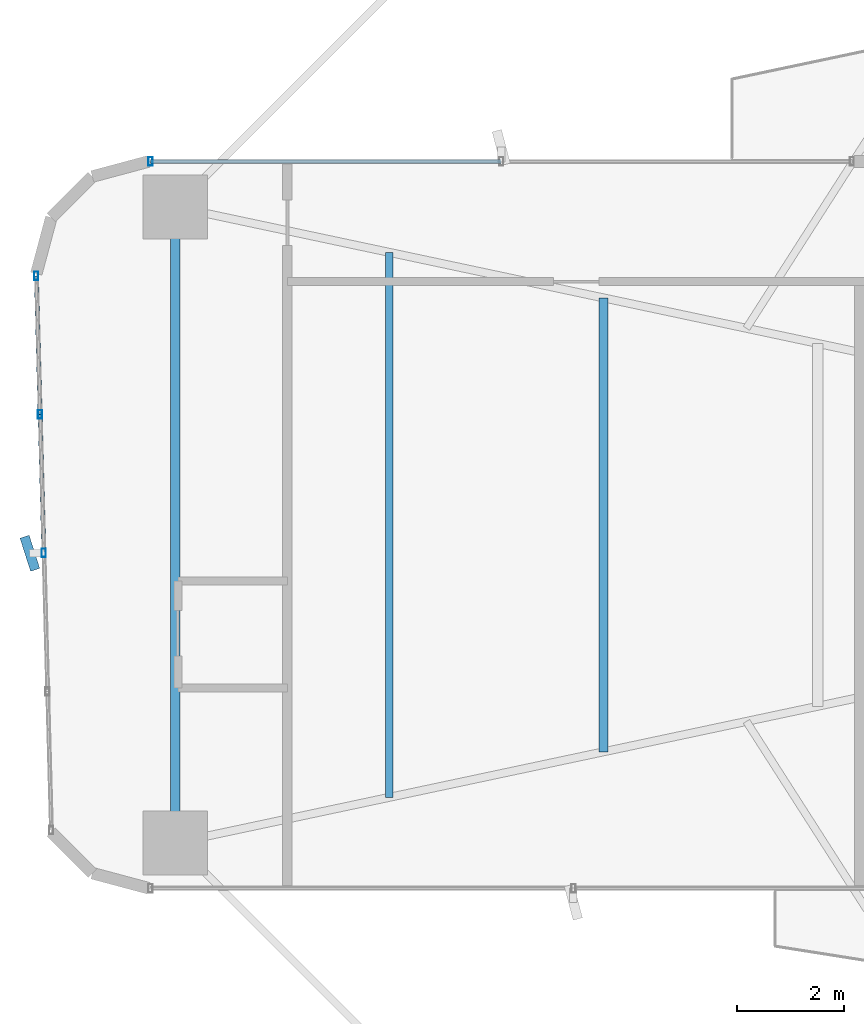
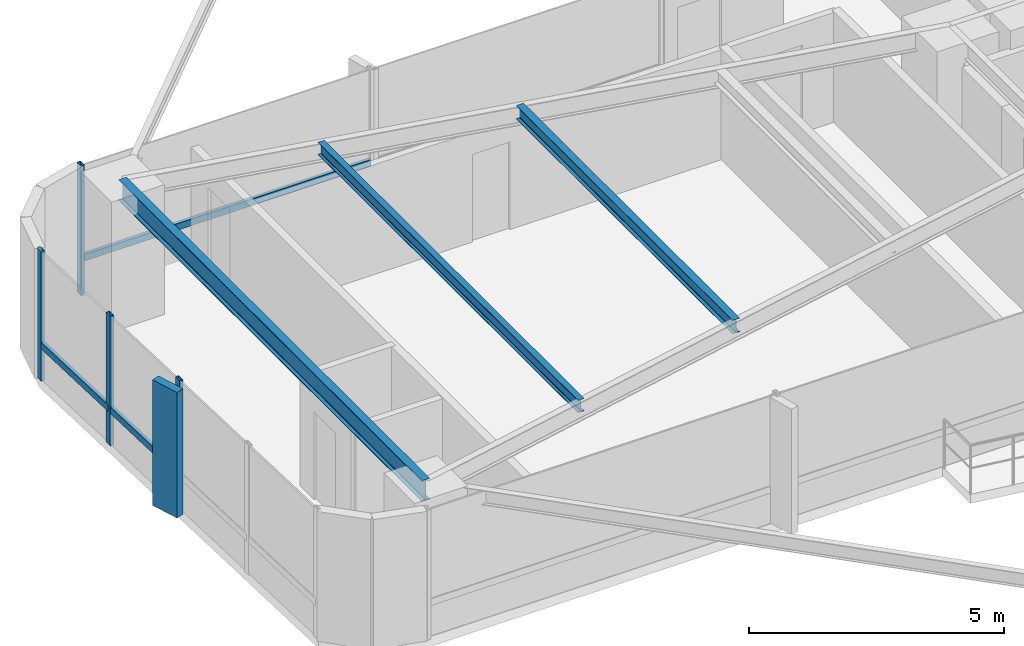
# One storey, part 8 of 26: 8 members, 3 beams, 2 elements without a shape of their own.
"""IFC4 building model written with IfcOpenShell, lengths in metres."""

from ifc_helpers import new_model, si_unit, direction, frame, origin, origin_2d, place, context, subcontext, project, spatial, rectangle, hollow_rectangle, i_section, extrude, source, transform, mapped, material, material_profile, profile_set, type_object, element, aggregate, save


model = new_model("IFC4")

# Units and contexts
model_context = context("Model", 3, precision=1e-05, world=origin(), true_north=direction((0.0, 1.0)))
body_context = subcontext(model_context, "Body", "Model", "MODEL_VIEW")
ifc_project = project(units=[si_unit("LENGTHUNIT", "METRE"), si_unit("AREAUNIT", "SQUARE_METRE"), si_unit("VOLUMEUNIT", "CUBIC_METRE"), si_unit("PLANEANGLEUNIT", "RADIAN"), si_unit("MASSUNIT", "GRAM", prefix="KILO")], contexts=[model_context])

# Site, building, storey
site_placement = place(None, origin())
site = spatial("IfcSite", under=ifc_project, at=site_placement, CompositionType="ELEMENT")
building_placement = place(site_placement, origin())
building = spatial("IfcBuilding", under=site, at=building_placement, Name="Sahyath Konkavel Grand Hotel", CompositionType="ELEMENT")
storey_placement = place(building_placement, frame((0.0, 0.0, 61.10009765625)))
storey = spatial("IfcBuildingStorey", under=building, at=storey_placement, Name="L16", CompositionType="ELEMENT", Elevation=61.10009765625)

# Beams
ifc_material_1 = material(Name="Steel E350", Category="steel")
ifc_material_profile_1 = material_profile(ifc_material_1, i_section(OverallWidth=0.179931640625, OverallDepth=0.5, WebThickness=0.01025390625, FlangeThickness=0.01708984375, FilletRadius=0.01708984375, at=origin_2d()), Name="ISMB 500")
ifc_profile_set_1 = profile_set([ifc_material_profile_1], Name="Steel E350")
beam_type_1 = type_object("IfcBeamType", Name="BM-ISMB500", PredefinedType="BEAM", material=ifc_profile_set_1)
shared_shape_1 = source(origin(), body_context, "Body", "SweptSolid", [
    extrude(i_section(OverallWidth=0.179931640625, OverallDepth=0.5, WebThickness=0.01025390625, FlangeThickness=0.01708984375, FilletRadius=0.01708984375, at=origin_2d()), origin(), (0.0, 0.0, 1.0), 11.89990234375),
])
beam_1_placement = place(storey_placement, frame((-22.199951171875, 5.949951171875, 2.85986328125), z_axis=(0.0, -1.0, 0.0), x_axis=(1.0, 0.0, 0.0)))
element("IfcBeam", 1, at=beam_1_placement, inside=storey, type_object=beam_type_1, Name="L16 Wing Tip Edge Beam W", PredefinedType="BEAM", context=body_context, shape_type="MappedRepresentation", body=[
    mapped(shared_shape_1, transform((0.0, 0.0, 0.0), scale=1.0)),
])
ifc_material_profile_2 = material_profile(ifc_material_1, i_section(OverallWidth=0.1650390625, OverallDepth=0.324951171875, WebThickness=0.007080078125, FlangeThickness=0.009765625, FilletRadius=0.014892578125, at=origin_2d()), Name="ISLB 325")
ifc_profile_set_2 = profile_set([ifc_material_profile_2], Name="Steel E350")
beam_type_2 = type_object("IfcBeamType", Name="BM-ISLB325", PredefinedType="BEAM", material=ifc_profile_set_2)
shared_shape_2 = source(origin(), body_context, "Body", "SweptSolid", [
    extrude(i_section(OverallWidth=0.1650390625, OverallDepth=0.324951171875, WebThickness=0.007080078125, FlangeThickness=0.009765625, FilletRadius=0.014892578125, at=origin_2d()), origin(), (0.0, 0.0, 1.0), 8.4921875),
])
beam_2_placement = place(storey_placement, frame((-14.18408203125, 4.24609375, 2.947509765625), z_axis=(0.0, -1.0, 0.0), x_axis=(1.0, 0.0, 0.0)))
element("IfcBeam", 2, at=beam_2_placement, inside=storey, type_object=beam_type_2, Name="L16 Secondary Floor Beam W-2", PredefinedType="BEAM", context=body_context, shape_type="MappedRepresentation", body=[
    mapped(shared_shape_2, transform((0.0, 0.0, 0.0), scale=1.0)),
])
ifc_material_profile_3 = material_profile(ifc_material_1, i_section(OverallWidth=0.139892578125, OverallDepth=0.300048828125, WebThickness=0.0078125, FlangeThickness=0.01318359375, FilletRadius=0.013916015625, at=origin_2d()), Name="ISMB 300")
ifc_profile_set_3 = profile_set([ifc_material_profile_3], Name="Steel E350")
beam_type_3 = type_object("IfcBeamType", Name="BM-ISMB300", PredefinedType="BEAM", material=ifc_profile_set_3)
shared_shape_3 = source(origin(), body_context, "Body", "SweptSolid", [
    extrude(i_section(OverallWidth=0.139892578125, OverallDepth=0.300048828125, WebThickness=0.0078125, FlangeThickness=0.01318359375, FilletRadius=0.013916015625, at=origin_2d()), origin(), (0.0, 0.0, 1.0), 10.19580078125),
])
beam_3_placement = place(storey_placement, frame((-18.19189453125, 5.097900390625, 2.9599609375), z_axis=(0.0, -1.0, 0.0), x_axis=(1.0, 0.0, 0.0)))
element("IfcBeam", 3, at=beam_3_placement, inside=storey, type_object=beam_type_3, Name="L16 Secondary Floor Beam W-3", PredefinedType="BEAM", context=body_context, shape_type="MappedRepresentation", body=[
    mapped(shared_shape_3, transform((0.0, 0.0, 0.0), scale=1.0)),
])

# Curtain wall, member
ifc_material_2 = material(Name="Anodised Bronze Aluminium & Low-E Glazing", Category="aluminium")
curtain_wall_type = type_object("IfcCurtainWallType", Name="CW-ZONE1", PredefinedType="NOTDEFINED", material=ifc_material_2)
curtain_wall_1_placement = place(storey_placement, origin())
curtain_wall_1 = element("IfcCurtainWall", 4, at=curtain_wall_1_placement, inside=storey, type_object=curtain_wall_type, Name="L16 Unitised Curtain Wall F16", PredefinedType="NOTDEFINED")
ifc_material_3 = material(Name="Anodised Bronze Aluminium", Category="aluminium")
ifc_material_profile_4 = material_profile(ifc_material_3, hollow_rectangle(XDim=0.080078125, YDim=0.159912109375, WallThickness=0.006103515625, at=origin_2d()), Name="RHS 160x80x6")
ifc_profile_set_4 = profile_set([ifc_material_profile_4], Name="Anodised Bronze Aluminium")
member_type_1 = type_object("IfcMemberType", Name="CW-MUL-160", PredefinedType="MULLION", material=ifc_profile_set_4)
shared_shape_4 = source(origin(), body_context, "Body", "SweptSolid", [
    extrude(hollow_rectangle(XDim=0.080078125, YDim=0.159912109375, WallThickness=0.006103515625, at=origin_2d()), origin(), (0.0, 0.0, 1.0), 3.10986328125),
])
member_1_placement = place(storey_placement, frame((-22.659912109375, 6.800048828125, 0.0), z_axis=(0.0, 0.0, 1.0), x_axis=(1.0, 0.0, 0.0)))
member_1 = element("IfcMember", 5, at=member_1_placement, type_object=member_type_1, Name="L16 Curtain Wall Mullion F16-2", PredefinedType="MULLION", context=body_context, shape_type="MappedRepresentation", body=[
    mapped(shared_shape_4, transform((0.0, 0.0, 0.0), scale=1.0)),
])

# Curtain wall, members
curtain_wall_2_placement = place(storey_placement, origin())
curtain_wall_2 = element("IfcCurtainWall", 6, at=curtain_wall_2_placement, inside=storey, type_object=curtain_wall_type, Name="L16 Unitised Curtain Wall F20", PredefinedType="NOTDEFINED")
member_2_placement = place(storey_placement, frame((-24.798828125, 4.659912109375, 0.0), z_axis=(0.0, 0.0, 1.0), x_axis=(1.0, 0.0, 0.0)))
member_2 = element("IfcMember", 7, at=member_2_placement, type_object=member_type_1, Name="L16 Curtain Wall Mullion F20-0", PredefinedType="MULLION", context=body_context, shape_type="MappedRepresentation", body=[
    mapped(shared_shape_4, transform((0.0, 0.0, 0.0), scale=1.0)),
])
member_3_placement = place(storey_placement, frame((-24.72900390625, 2.0673828125, 0.0), z_axis=(0.0, 0.0, 1.0), x_axis=(1.0, 0.0, 0.0)))
member_3 = element("IfcMember", 8, at=member_3_placement, type_object=member_type_1, Name="L16 Curtain Wall Mullion F20-1", PredefinedType="MULLION", context=body_context, shape_type="MappedRepresentation", body=[
    mapped(shared_shape_4, transform((0.0, 0.0, 0.0), scale=1.0)),
])
member_4_placement = place(storey_placement, frame((-24.6591796875, -0.52490234375, 0.0), z_axis=(0.0, 0.0, 1.0), x_axis=(1.0, 0.0, 0.0)))
member_4 = element("IfcMember", 9, at=member_4_placement, type_object=member_type_1, Name="L16 Curtain Wall Mullion F20-2", PredefinedType="MULLION", context=body_context, shape_type="MappedRepresentation", body=[
    mapped(shared_shape_4, transform((0.0, 0.0, 0.0), scale=1.0)),
])
ifc_material_4 = material(Name="Warm Buff Sandstone Cladding on Concrete C50/60", Category="masonry")
ifc_material_profile_5 = material_profile(ifc_material_4, rectangle(XDim=0.179931640625, YDim=0.64990234375, at=origin_2d()), Name="FIN 180x650")
ifc_profile_set_5 = profile_set([ifc_material_profile_5], Name="Warm Buff Sandstone Cladding on Concrete C50/60")
member_type_2 = type_object("IfcMemberType", Name="FIN-SANDSTONE-650", PredefinedType="MULLION", material=ifc_profile_set_5)
shared_shape_5 = source(origin(), body_context, "Body", "SweptSolid", [
    extrude(rectangle(XDim=0.179931640625, YDim=0.64990234375, at=origin_2d()), origin(), (0.0, 0.0, 1.0), 3.010009765625),
])
member_5_placement = place(storey_placement, frame((-24.919189453125, -0.531982421875, 0.0498046875), z_axis=(0.0, 0.0, 1.0), x_axis=(0.952502159334, 0.304531831612, 0.0)))
member_5 = element("IfcMember", 10, at=member_5_placement, type_object=member_type_2, Name="L16 Sandstone Vertical Solar Fin FIN F20-2", PredefinedType="MULLION", context=body_context, shape_type="MappedRepresentation", body=[
    mapped(shared_shape_5, transform((0.0, 0.0, 0.0), scale=1.0)),
])
ifc_material_profile_6 = material_profile(ifc_material_3, hollow_rectangle(XDim=0.080078125, YDim=0.159912109375, WallThickness=0.006103515625, at=origin_2d()), Name="RHS 160x80x6")
ifc_profile_set_6 = profile_set([ifc_material_profile_6], Name="Anodised Bronze Aluminium")
member_type_3 = type_object("IfcMemberType", Name="CW-TRN-160", PredefinedType="USERDEFINED", material=ifc_profile_set_6)
shared_shape_6 = source(origin(), body_context, "Body", "SweptSolid", [
    extrude(hollow_rectangle(XDim=0.080078125, YDim=0.159912109375, WallThickness=0.006103515625, at=origin_2d()), origin(), (0.0, 0.0, 1.0), 2.593505859375),
])
member_6_placement = place(storey_placement, frame((-24.798828125, 4.659912109375, 0.849853515625), z_axis=(0.026923093252, -0.999637507825, 0.0), x_axis=(0.999637507825, 0.026923093252, 0.0)))
member_6 = element("IfcMember", 11, at=member_6_placement, type_object=member_type_3, Name="L16 Curtain Wall Transom F20-0-spandrel", ObjectType="TRANSOM", PredefinedType="USERDEFINED", context=body_context, shape_type="MappedRepresentation", body=[
    mapped(shared_shape_6, transform((0.0, 0.0, 0.0), scale=1.0)),
])
shared_shape_7 = source(origin(), body_context, "Body", "SweptSolid", [
    extrude(hollow_rectangle(XDim=0.080078125, YDim=0.159912109375, WallThickness=0.006103515625, at=origin_2d()), origin(), (0.0, 0.0, 1.0), 2.59326171875),
])
member_7_placement = place(storey_placement, frame((-24.72900390625, 2.0673828125, 0.849853515625), z_axis=(0.026925627022, -0.99963743958, 0.0), x_axis=(0.99963743958, 0.026925627022, 0.0)))
member_7 = element("IfcMember", 12, at=member_7_placement, type_object=member_type_3, Name="L16 Curtain Wall Transom F20-1-spandrel", ObjectType="TRANSOM", PredefinedType="USERDEFINED", context=body_context, shape_type="MappedRepresentation", body=[
    mapped(shared_shape_7, transform((0.0, 0.0, 0.0), scale=1.0)),
])
aggregate(curtain_wall_2, [member_2, member_3, member_4, member_5, member_6, member_7])

# Member
shared_shape_8 = source(origin(), body_context, "Body", "SweptSolid", [
    extrude(hollow_rectangle(XDim=0.080078125, YDim=0.159912109375, WallThickness=0.006103515625, at=origin_2d()), origin(), (0.0, 0.0, 1.0), 6.559814453125),
])
member_8_placement = place(storey_placement, frame((-16.10009765625, 6.800048828125, 0.849853515625), z_axis=(-1.0, 0.0, 0.0), x_axis=(0.0, -1.0, 0.0)))
member_8 = element("IfcMember", 13, at=member_8_placement, type_object=member_type_3, Name="L16 Curtain Wall Transom F16-1-spandrel", ObjectType="TRANSOM", PredefinedType="USERDEFINED", context=body_context, shape_type="MappedRepresentation", body=[
    mapped(shared_shape_8, transform((0.0, 0.0, 0.0), scale=1.0)),
])

aggregate(curtain_wall_1, [member_1, member_8])

save(model, "model.ifc")
